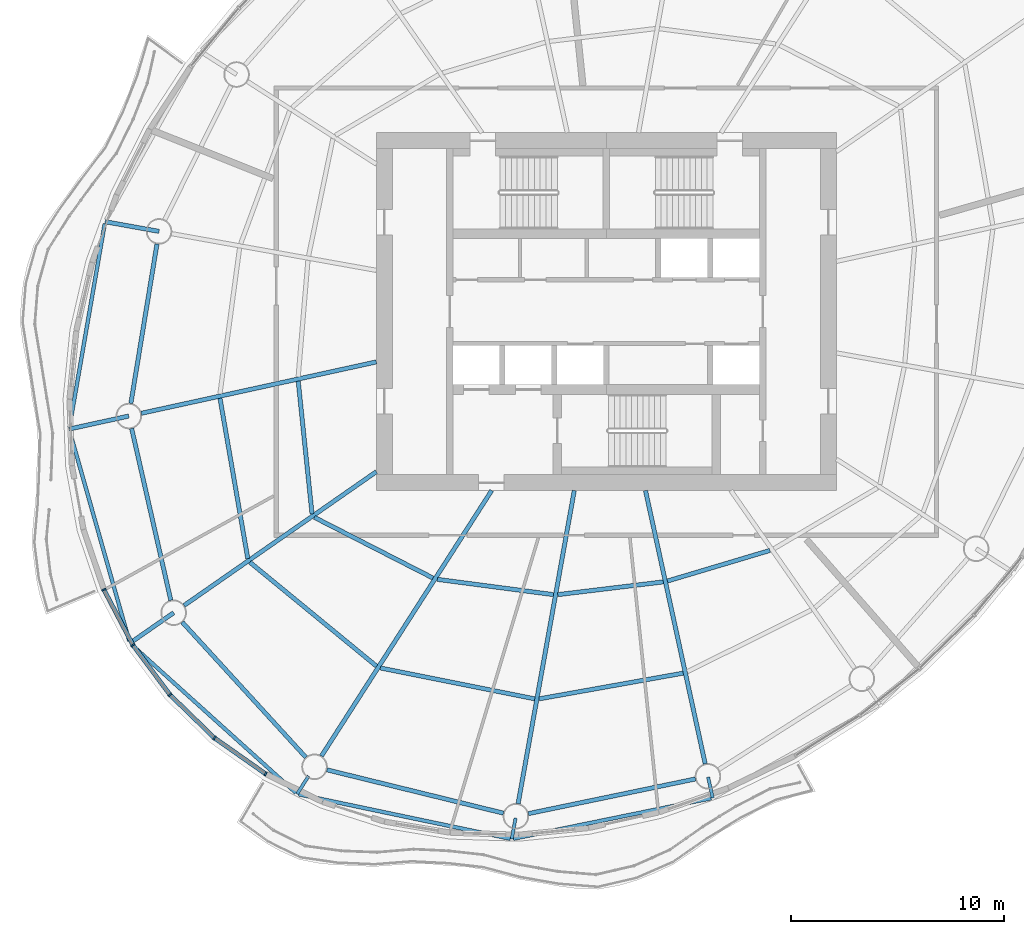
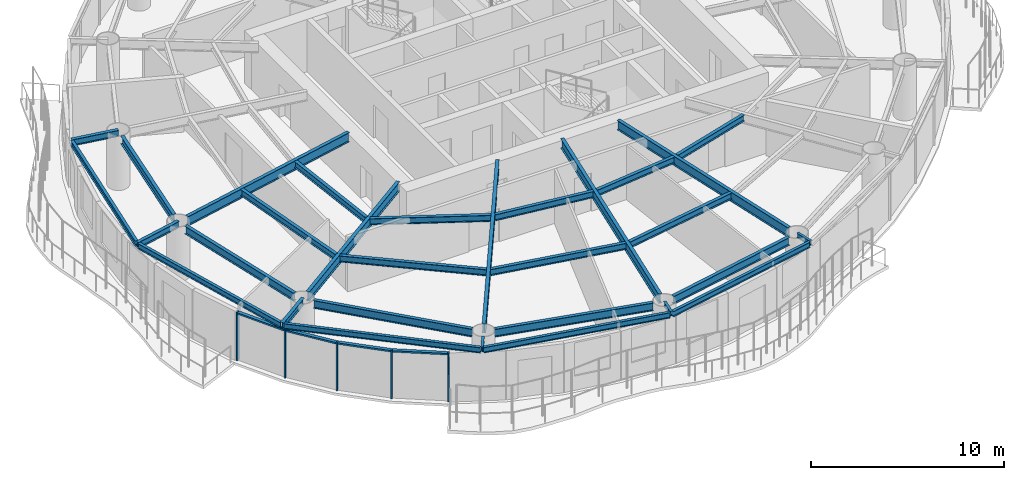
# One storey, part 2 of 14: 30 beams, 9 members, 4 elements without a shape of their own.
"""IFC4 building model written with IfcOpenShell, lengths in metres."""

from ifc_helpers import new_model, si_unit, direction, frame, origin, origin_2d, place, context, subcontext, project, spatial, rectangle, i_section, extrude, material, material_profile, profile_set, type_object, element, aggregate, save


model = new_model("IFC4")

# Units and contexts
model_context = context("Model", 3, precision=1e-05, world=origin(), true_north=direction((0.0, 1.0)))
body_context = subcontext(model_context, "Body", "Model", "MODEL_VIEW")
ifc_project = project(units=[si_unit("LENGTHUNIT", "METRE"), si_unit("AREAUNIT", "SQUARE_METRE"), si_unit("VOLUMEUNIT", "CUBIC_METRE"), si_unit("PLANEANGLEUNIT", "RADIAN"), si_unit("MASSUNIT", "GRAM", prefix="KILO")], contexts=[model_context])

# Site, building, storey
site_placement = place(None, origin())
site = spatial("IfcSite", under=ifc_project, at=site_placement, CompositionType="ELEMENT")
building_placement = place(site_placement, origin())
building = spatial("IfcBuilding", under=site, at=building_placement, Name="Vermilion Reach Broadcast Tower", CompositionType="ELEMENT")
storey_placement = place(building_placement, frame((0.0, 0.0, 199.300048828125)))
storey = spatial("IfcBuildingStorey", under=building, at=storey_placement, Name="L48", CompositionType="ELEMENT", Elevation=199.300048828125)

# Beams
ifc_material_1 = material(Name="Steel S355J2", Category="steel")
ifc_material_profile_1 = material_profile(ifc_material_1, i_section(OverallWidth=0.175048828125, OverallDepth=0.35009765625, WebThickness=0.007080078125, FlangeThickness=0.010986328125, at=origin_2d()), Name="S355J2 HN 350x175x7x11")
ifc_profile_set_1 = profile_set([ifc_material_profile_1], Name="Steel S355J2")
beam_type_1 = type_object("IfcBeamType", Name="EB4 HN 350x175x7x11", PredefinedType="BEAM", material=ifc_profile_set_1)
beam_1_placement = place(storey_placement, frame((-29.553955078125, 4.123779296875, 3.27490234375), z_axis=(-0.170837360875, -0.985299241921, 0.0), x_axis=(0.985299241921, -0.170837360875, 0.0)))
element("IfcBeam", 1, at=beam_1_placement, inside=storey, type_object=beam_type_1, Name="Edge beam EB4-06", PredefinedType="BEAM", context=body_context, shape_type="SweptSolid", body=[
    extrude(i_section(OverallWidth=0.175048828125, OverallDepth=0.35009765625, WebThickness=0.007080078125, FlangeThickness=0.010986328125, at=origin_2d()), origin(), (0.0, 0.0, 1.0), 9.67333984375),
])
beam_2_placement = place(storey_placement, frame((-31.197509765625, -5.610107421875, 3.27490234375), z_axis=(0.272961061952, -0.962025082136, 0.0), x_axis=(0.962025082136, 0.272961061952, 0.0)))
element("IfcBeam", 2, at=beam_2_placement, inside=storey, type_object=beam_type_1, Name="Edge beam EB4-07", PredefinedType="BEAM", context=body_context, shape_type="SweptSolid", body=[
    extrude(i_section(OverallWidth=0.175048828125, OverallDepth=0.35009765625, WebThickness=0.007080078125, FlangeThickness=0.010986328125, at=origin_2d()), origin(), (0.0, 0.0, 1.0), 10.24365234375),
])
beam_3_placement = place(storey_placement, frame((-28.296142578125, -15.63525390625, 3.27490234375), z_axis=(0.742625619429, -0.669706793581, 0.0), x_axis=(0.669706793581, 0.742625619429, 0.0)))
element("IfcBeam", 3, at=beam_3_placement, inside=storey, type_object=beam_type_1, Name="Edge beam EB4-08", PredefinedType="BEAM", context=body_context, shape_type="SweptSolid", body=[
    extrude(i_section(OverallWidth=0.175048828125, OverallDepth=0.35009765625, WebThickness=0.007080078125, FlangeThickness=0.010986328125, at=origin_2d()), origin(), (0.0, 0.0, 1.0), 10.392578125),
])
beam_4_placement = place(storey_placement, frame((-20.443359375, -22.66259765625, 3.27490234375), z_axis=(0.978666322046, -0.205456151268, 0.0), x_axis=(0.205456151268, 0.978666322046, 0.0)))
element("IfcBeam", 4, at=beam_4_placement, inside=storey, type_object=beam_type_1, Name="Edge beam EB4-09", PredefinedType="BEAM", context=body_context, shape_type="SweptSolid", body=[
    extrude(i_section(OverallWidth=0.175048828125, OverallDepth=0.35009765625, WebThickness=0.007080078125, FlangeThickness=0.010986328125, at=origin_2d()), origin(), (0.0, 0.0, 1.0), 10.144287109375),
])
beam_5_placement = place(storey_placement, frame((-10.363037109375, -24.74609375, 3.27490234375), z_axis=(0.979716887268, 0.200386678203, 0.0), x_axis=(-0.200386678203, 0.979716887268, 0.0)))
element("IfcBeam", 5, at=beam_5_placement, inside=storey, type_object=beam_type_1, Name="Edge beam EB4-10", PredefinedType="BEAM", context=body_context, shape_type="SweptSolid", body=[
    extrude(i_section(OverallWidth=0.175048828125, OverallDepth=0.35009765625, WebThickness=0.007080078125, FlangeThickness=0.010986328125, at=origin_2d()), origin(), (0.0, 0.0, 1.0), 9.47265625),
])
ifc_material_2 = material(Name="Steel S355J2", Category="steel")
ifc_material_profile_2 = material_profile(ifc_material_2, i_section(OverallWidth=0.199951171875, OverallDepth=0.60009765625, WebThickness=0.010986328125, FlangeThickness=0.01708984375, at=origin_2d()), Name="S355J2 HN 600x200x11x17")
ifc_profile_set_2 = profile_set([ifc_material_profile_2], Name="Steel S355J2")
beam_type_2 = type_object("IfcBeamType", Name="G4 HN 600x200x11x17", PredefinedType="BEAM", material=ifc_profile_set_2)
beam_6_placement = place(storey_placement, frame((-16.800048828125, -2.360595703125, 3.14990234375), z_axis=(-0.976930175286, -0.213558967537, 0.0), x_axis=(0.213558967537, -0.976930175286, 0.0)))
element("IfcBeam", 6, at=beam_6_placement, inside=storey, type_object=beam_type_2, Name="Girder G4-07", PredefinedType="BEAM", context=body_context, shape_type="SweptSolid", body=[
    extrude(i_section(OverallWidth=0.199951171875, OverallDepth=0.60009765625, WebThickness=0.010986328125, FlangeThickness=0.01708984375, at=origin_2d()), origin(), (0.0, 0.0, 1.0), 11.29833984375),
])
beam_7_placement = place(storey_placement, frame((-16.800048828125, -7.5146484375, 3.14990234375), z_axis=(-0.820848627818, -0.571145804684, 0.0), x_axis=(0.571145804684, -0.820848627818, 0.0)))
element("IfcBeam", 7, at=beam_7_placement, inside=storey, type_object=beam_type_2, Name="Girder G4-08", PredefinedType="BEAM", context=body_context, shape_type="SweptSolid", body=[
    extrude(i_section(OverallWidth=0.199951171875, OverallDepth=0.60009765625, WebThickness=0.010986328125, FlangeThickness=0.01708984375, at=origin_2d()), origin(), (0.0, 0.0, 1.0), 10.99560546875),
])
beam_8_placement = place(storey_placement, frame((-11.386474609375, -8.39990234375, 3.14990234375), z_axis=(-0.539796447586, -0.84179557802, 0.0), x_axis=(0.84179557802, -0.539796447586, 0.0)))
element("IfcBeam", 8, at=beam_8_placement, inside=storey, type_object=beam_type_2, Name="Girder G4-09", PredefinedType="BEAM", context=body_context, shape_type="SweptSolid", body=[
    extrude(i_section(OverallWidth=0.199951171875, OverallDepth=0.60009765625, WebThickness=0.010986328125, FlangeThickness=0.01708984375, at=origin_2d()), origin(), (0.0, 0.0, 1.0), 14.8076171875),
])
beam_9_placement = place(storey_placement, frame((-7.5068359375, -8.39990234375, 3.14990234375), z_axis=(-0.176574729047, -0.984287237072, 0.0), x_axis=(0.984287237072, -0.176574729047, 0.0)))
element("IfcBeam", 9, at=beam_9_placement, inside=storey, type_object=beam_type_2, Name="Girder G4-10", PredefinedType="BEAM", context=body_context, shape_type="SweptSolid", body=[
    extrude(i_section(OverallWidth=0.199951171875, OverallDepth=0.60009765625, WebThickness=0.010986328125, FlangeThickness=0.01708984375, at=origin_2d()), origin(), (0.0, 0.0, 1.0), 14.935302734375),
])
beam_10_placement = place(storey_placement, frame((-4.163818359375, -8.39990234375, 3.14990234375), z_axis=(0.213538346548, -0.976934682849, 0.0), x_axis=(0.976934682849, 0.213538346548, 0.0)))
element("IfcBeam", 10, at=beam_10_placement, inside=storey, type_object=beam_type_2, Name="Girder G4-11", PredefinedType="BEAM", context=body_context, shape_type="SweptSolid", body=[
    extrude(i_section(OverallWidth=0.199951171875, OverallDepth=0.60009765625, WebThickness=0.010986328125, FlangeThickness=0.01708984375, at=origin_2d()), origin(), (0.0, 0.0, 1.0), 13.135498046875),
])
ifc_material_3 = material(Name="Steel S355J2", Category="steel")
ifc_material_profile_3 = material_profile(ifc_material_3, i_section(OverallWidth=0.199951171875, OverallDepth=0.39990234375, WebThickness=0.008056640625, FlangeThickness=0.012939453125, at=origin_2d()), Name="S355J2 HN 400x200x8x13")
ifc_profile_set_3 = profile_set([ifc_material_profile_3], Name="Steel S355J2")
beam_type_3 = type_object("IfcBeamType", Name="GC4 HN 400x200x8x13", PredefinedType="BEAM", material=ifc_profile_set_3)
beam_11_placement = place(storey_placement, frame((-27.002685546875, 3.767578125, 3.25), z_axis=(-0.984288959159, 0.176565129283, 0.0), x_axis=(-0.176565129283, -0.984288959159, 0.0)))
element("IfcBeam", 11, at=beam_11_placement, inside=storey, type_object=beam_type_3, Name="Cantilever girder GC4-06", PredefinedType="BEAM", context=body_context, shape_type="SweptSolid", body=[
    extrude(i_section(OverallWidth=0.199951171875, OverallDepth=0.39990234375, WebThickness=0.008056640625, FlangeThickness=0.012939453125, at=origin_2d()), origin(), (0.0, 0.0, 1.0), 2.57470703125),
])
beam_12_placement = place(storey_placement, frame((-28.423828125, -4.9013671875, 3.25), z_axis=(-0.976930559979, -0.213557207742, 0.0), x_axis=(0.213557207742, -0.976930559979, 0.0)))
element("IfcBeam", 12, at=beam_12_placement, inside=storey, type_object=beam_type_3, Name="Cantilever girder GC4-07", PredefinedType="BEAM", context=body_context, shape_type="SweptSolid", body=[
    extrude(i_section(OverallWidth=0.199951171875, OverallDepth=0.39990234375, WebThickness=0.008056640625, FlangeThickness=0.012939453125, at=origin_2d()), origin(), (0.0, 0.0, 1.0), 2.8671875),
])
beam_13_placement = place(storey_placement, frame((-26.318115234375, -14.13720703125, 3.25), z_axis=(-0.820823670159, -0.571181672068, 0.0), x_axis=(0.571181672068, -0.820823670159, 0.0)))
element("IfcBeam", 13, at=beam_13_placement, inside=storey, type_object=beam_type_3, Name="Cantilever girder GC4-08", PredefinedType="BEAM", context=body_context, shape_type="SweptSolid", body=[
    extrude(i_section(OverallWidth=0.199951171875, OverallDepth=0.39990234375, WebThickness=0.008056640625, FlangeThickness=0.012939453125, at=origin_2d()), origin(), (0.0, 0.0, 1.0), 2.502685546875),
])
ifc_material_4 = material(Name="Steel S355J2", Category="steel")
ifc_material_profile_4 = material_profile(ifc_material_4, i_section(OverallWidth=0.14990234375, OverallDepth=0.300048828125, WebThickness=0.006591796875, FlangeThickness=0.009033203125, at=origin_2d()), Name="S355J2 HN 300x150x6.5x9")
ifc_profile_set_4 = profile_set([ifc_material_profile_4], Name="Steel S355J2")
beam_type_4 = type_object("IfcBeamType", Name="GS4 HN 300x150x6.5x9", PredefinedType="BEAM", material=ifc_profile_set_4)
for number, where, z_axis, x_axis, name in (
    (14, (-19.982177734375, -21.804443359375, 3.300048828125), (-0.539794777091, -0.841796649213, 0.0), (0.841796649213, -0.539794777091, 0.0), "Cantilever stub GS4-09"),
    (15, (-10.265380859375, -23.778076171875, 3.300048828125), (-0.176779303748, -0.984250515756, 0.0), (0.984250515756, -0.176779303748, 0.0), "Cantilever stub GS4-10"),
    (16, (-1.22265625, -21.85595703125, 3.300048828125), (0.213645906146, -0.976911166272, 0.0), (0.976911166272, 0.213645906146, 0.0), "Cantilever stub GS4-11"),
):
    element("IfcBeam", number, at=place(storey_placement, frame(where, z_axis=z_axis, x_axis=x_axis)), inside=storey, type_object=beam_type_4, Name=name, PredefinedType="BEAM", context=body_context, shape_type="SweptSolid", body=[
        extrude(i_section(OverallWidth=0.14990234375, OverallDepth=0.300048828125, WebThickness=0.006591796875, FlangeThickness=0.009033203125, at=origin_2d()), origin(), (0.0, 0.0, 1.0), 1.0),
    ])
ifc_material_5 = material(Name="Steel S355J2", Category="steel")
ifc_material_profile_5 = material_profile(ifc_material_5, i_section(OverallWidth=0.199951171875, OverallDepth=0.5, WebThickness=0.010009765625, FlangeThickness=0.01611328125, at=origin_2d()), Name="S355J2 HN 500x200x10x16")
ifc_profile_set_5 = profile_set([ifc_material_profile_5], Name="Steel S355J2")
beam_type_5 = type_object("IfcBeamType", Name="RB4 HN 500x200x10x16", PredefinedType="BEAM", material=ifc_profile_set_5)
beam_14_placement = place(storey_placement, frame((-27.099609375, 3.175537109375, 3.199951171875), z_axis=(-0.161778110263, -0.986827159659, 0.0), x_axis=(0.986827159659, -0.161778110263, 0.0)))
element("IfcBeam", 17, at=beam_14_placement, inside=storey, type_object=beam_type_5, Name="Ring beam RB4-06", PredefinedType="BEAM", context=body_context, shape_type="SweptSolid", body=[
    extrude(i_section(OverallWidth=0.199951171875, OverallDepth=0.5, WebThickness=0.010009765625, FlangeThickness=0.01611328125, at=origin_2d()), origin(), (0.0, 0.0, 1.0), 7.584716796875),
])
beam_15_placement = place(storey_placement, frame((-28.290283203125, -5.486572265625, 3.199951171875), z_axis=(0.222283068275, -0.974982172944, 0.0), x_axis=(0.974982172944, 0.222283068275, 0.0)))
element("IfcBeam", 18, at=beam_15_placement, inside=storey, type_object=beam_type_5, Name="Ring beam RB4-07", PredefinedType="BEAM", context=body_context, shape_type="SweptSolid", body=[
    extrude(i_section(OverallWidth=0.199951171875, OverallDepth=0.5, WebThickness=0.010009765625, FlangeThickness=0.01611328125, at=origin_2d()), origin(), (0.0, 0.0, 1.0), 8.272705078125),
])
beam_16_placement = place(storey_placement, frame((-25.9130859375, -14.580078125, 3.199951171875), z_axis=(0.674868141417, -0.737938338684, 0.0), x_axis=(0.737938338684, 0.674868141417, 0.0)))
element("IfcBeam", 19, at=beam_16_placement, inside=storey, type_object=beam_type_5, Name="Ring beam RB4-08", PredefinedType="BEAM", context=body_context, shape_type="SweptSolid", body=[
    extrude(i_section(OverallWidth=0.199951171875, OverallDepth=0.5, WebThickness=0.010009765625, FlangeThickness=0.01611328125, at=origin_2d()), origin(), (0.0, 0.0, 1.0), 8.601318359375),
])
beam_17_placement = place(storey_placement, frame((-19.120849609375, -21.51318359375, 3.199951171875), z_axis=(0.971158622271, -0.238434331398, 0.0), x_axis=(0.238434331398, 0.971158622271, 0.0)))
element("IfcBeam", 20, at=beam_17_placement, inside=storey, type_object=beam_type_5, Name="Ring beam RB4-09", PredefinedType="BEAM", context=body_context, shape_type="SweptSolid", body=[
    extrude(i_section(OverallWidth=0.199951171875, OverallDepth=0.5, WebThickness=0.010009765625, FlangeThickness=0.01611328125, at=origin_2d()), origin(), (0.0, 0.0, 1.0), 8.534423828125),
])
beam_18_placement = place(storey_placement, frame((-9.662353515625, -23.569091796875, 3.199951171875), z_axis=(0.97912342484, 0.203266620302, 0.0), x_axis=(-0.203266620302, 0.97912342484, 0.0)))
element("IfcBeam", 21, at=beam_18_placement, inside=storey, type_object=beam_type_5, Name="Ring beam RB4-10", PredefinedType="BEAM", context=body_context, shape_type="SweptSolid", body=[
    extrude(i_section(OverallWidth=0.199951171875, OverallDepth=0.5, WebThickness=0.010009765625, FlangeThickness=0.01611328125, at=origin_2d()), origin(), (0.0, 0.0, 1.0), 8.01123046875),
])
ifc_material_6 = material(Name="Steel S355J2", Category="steel")
ifc_material_profile_6 = material_profile(ifc_material_6, i_section(OverallWidth=0.199951171875, OverallDepth=0.39990234375, WebThickness=0.008056640625, FlangeThickness=0.012939453125, at=origin_2d()), Name="S355J2 HN 400x200x8x13")
ifc_profile_set_6 = profile_set([ifc_material_profile_6], Name="Steel S355J2")
beam_type_6 = type_object("IfcBeamType", Name="SB4 HN 400x200x8x13", PredefinedType="BEAM", material=ifc_profile_set_6)
beam_19_placement = place(storey_placement, frame((-20.46875, -3.264892578125, 3.25), z_axis=(0.103532173355, -0.994626105167, 0.0), x_axis=(0.994626105167, 0.103532173355, 0.0)))
element("IfcBeam", 22, at=beam_19_placement, inside=storey, type_object=beam_type_6, Name="Secondary beam SB4-07-1", PredefinedType="BEAM", context=body_context, shape_type="SweptSolid", body=[
    extrude(i_section(OverallWidth=0.199951171875, OverallDepth=0.39990234375, WebThickness=0.008056640625, FlangeThickness=0.012939453125, at=origin_2d()), origin(), (0.0, 0.0, 1.0), 6.26318359375),
])
beam_20_placement = place(storey_placement, frame((-24.141357421875, -4.067626953125, 3.25), z_axis=(0.170926997669, -0.985283695931, 0.0), x_axis=(0.985283695931, 0.170926997669, 0.0)))
element("IfcBeam", 23, at=beam_20_placement, inside=storey, type_object=beam_type_6, Name="Secondary beam SB4-07-2", PredefinedType="BEAM", context=body_context, shape_type="SweptSolid", body=[
    extrude(i_section(OverallWidth=0.199951171875, OverallDepth=0.39990234375, WebThickness=0.008056640625, FlangeThickness=0.012939453125, at=origin_2d()), origin(), (0.0, 0.0, 1.0), 7.63720703125),
])
beam_21_placement = place(storey_placement, frame((-19.707763671875, -9.659423828125, 3.25), z_axis=(0.89015575218, -0.455656380249, 0.0), x_axis=(0.455656380249, 0.89015575218, 0.0)))
element("IfcBeam", 24, at=beam_21_placement, inside=storey, type_object=beam_type_6, Name="Secondary beam SB4-08-1", PredefinedType="BEAM", context=body_context, shape_type="SweptSolid", body=[
    extrude(i_section(OverallWidth=0.199951171875, OverallDepth=0.39990234375, WebThickness=0.008056640625, FlangeThickness=0.012939453125, at=origin_2d()), origin(), (0.0, 0.0, 1.0), 6.25439453125),
])
beam_22_placement = place(storey_placement, frame((-22.73681640625, -11.76708984375, 3.25), z_axis=(0.772952000494, -0.6344645025, 0.0), x_axis=(0.6344645025, 0.772952000494, 0.0)))
element("IfcBeam", 25, at=beam_22_placement, inside=storey, type_object=beam_type_6, Name="Secondary beam SB4-08-2", PredefinedType="BEAM", context=body_context, shape_type="SweptSolid", body=[
    extrude(i_section(OverallWidth=0.199951171875, OverallDepth=0.39990234375, WebThickness=0.008056640625, FlangeThickness=0.012939453125, at=origin_2d()), origin(), (0.0, 0.0, 1.0), 7.689697265625),
])
beam_23_placement = place(storey_placement, frame((-13.94140625, -12.5693359375, 3.25), z_axis=(0.991458070019, -0.130425823341, 0.0), x_axis=(0.130425823341, 0.991458070019, 0.0)))
element("IfcBeam", 26, at=beam_23_placement, inside=storey, type_object=beam_type_6, Name="Secondary beam SB4-09-1", PredefinedType="BEAM", context=body_context, shape_type="SweptSolid", body=[
    extrude(i_section(OverallWidth=0.199951171875, OverallDepth=0.39990234375, WebThickness=0.008056640625, FlangeThickness=0.012939453125, at=origin_2d()), origin(), (0.0, 0.0, 1.0), 5.50341796875),
])
beam_24_placement = place(storey_placement, frame((-16.60986328125, -16.73095703125, 3.25), z_axis=(0.9805717807, -0.196160604851, 0.0), x_axis=(0.196160604851, 0.9805717807, 0.0)))
element("IfcBeam", 27, at=beam_24_placement, inside=storey, type_object=beam_type_6, Name="Secondary beam SB4-09-2", PredefinedType="BEAM", context=body_context, shape_type="SweptSolid", body=[
    extrude(i_section(OverallWidth=0.199951171875, OverallDepth=0.39990234375, WebThickness=0.008056640625, FlangeThickness=0.012939453125, at=origin_2d()), origin(), (0.0, 0.0, 1.0), 7.390380859375),
])
beam_25_placement = place(storey_placement, frame((-8.281982421875, -13.28759765625, 3.25), z_axis=(0.99278788328, 0.119884189168, 0.0), x_axis=(-0.119884189168, 0.99278788328, 0.0)))
element("IfcBeam", 28, at=beam_25_placement, inside=storey, type_object=beam_type_6, Name="Secondary beam SB4-10-1", PredefinedType="BEAM", context=body_context, shape_type="SweptSolid", body=[
    extrude(i_section(OverallWidth=0.199951171875, OverallDepth=0.39990234375, WebThickness=0.008056640625, FlangeThickness=0.012939453125, at=origin_2d()), origin(), (0.0, 0.0, 1.0), 4.9892578125),
])
beam_26_placement = place(storey_placement, frame((-9.159912109375, -18.181640625, 3.25), z_axis=(0.984415281892, 0.175859468829, 0.0), x_axis=(-0.175859468829, 0.984415281892, 0.0)))
element("IfcBeam", 29, at=beam_26_placement, inside=storey, type_object=beam_type_6, Name="Secondary beam SB4-10-2", PredefinedType="BEAM", context=body_context, shape_type="SweptSolid", body=[
    extrude(i_section(OverallWidth=0.199951171875, OverallDepth=0.39990234375, WebThickness=0.008056640625, FlangeThickness=0.012939453125, at=origin_2d()), origin(), (0.0, 0.0, 1.0), 6.874755859375),
])
beam_27_placement = place(storey_placement, frame((-3.1328125, -12.64892578125, 3.25), z_axis=(0.958173460215, 0.28618808525, 0.0), x_axis=(-0.28618808525, 0.958173460215, 0.0)))
element("IfcBeam", 30, at=beam_27_placement, inside=storey, type_object=beam_type_6, Name="Secondary beam SB4-11-1", PredefinedType="BEAM", context=body_context, shape_type="SweptSolid", body=[
    extrude(i_section(OverallWidth=0.199951171875, OverallDepth=0.39990234375, WebThickness=0.008056640625, FlangeThickness=0.012939453125, at=origin_2d()), origin(), (0.0, 0.0, 1.0), 5.02197265625),
])

# Curtain wall, member
ifc_material_7 = material(Name="Low-e laminated clear glass in aluminium frame", Category="aluminium")
curtain_wall_type = type_object("IfcCurtainWallType", Name="Slot curtain wall", PredefinedType="NOTDEFINED", material=ifc_material_7)
placement = place(storey_placement, origin())
curtain_wall_1 = element("IfcCurtainWall", 31, at=placement, inside=storey, type_object=curtain_wall_type, Name="Slot curtain wall L48 22", PredefinedType="NOTDEFINED")
ifc_material_8 = material(Name="Anodised aluminium", Category="aluminium")
ifc_material_profile_7 = material_profile(ifc_material_8, rectangle(XDim=0.199951171875, YDim=0.080078125, at=origin_2d()), Name="Slot mullion 80 x 200")
ifc_profile_set_7 = profile_set([ifc_material_profile_7], Name="Anodised aluminium")
member_type_1 = type_object("IfcMemberType", Name="Slot mullion 80 x 200", PredefinedType="MULLION", material=ifc_profile_set_7)
member_1_placement = place(storey_placement, frame((-29.591064453125, -13.05517578125, 0.0), z_axis=(0.0, 0.0, 1.0), x_axis=(0.919090322703, 0.394046924507, 0.0)))
member_1 = element("IfcMember", 32, at=member_1_placement, type_object=member_type_1, Name="Slot mullion L48 22", PredefinedType="MULLION", context=body_context, shape_type="SweptSolid", body=[
    extrude(rectangle(XDim=0.199951171875, YDim=0.080078125, at=origin_2d()), origin(), (0.0, 0.0, 1.0), 3.050048828125),
])

curtain_wall_2 = element("IfcCurtainWall", 33, at=placement, inside=storey, type_object=curtain_wall_type, Name="Slot curtain wall L48 23", PredefinedType="NOTDEFINED")
member_2_placement = place(storey_placement, frame((-28.229736328125, -15.6552734375, 0.0), z_axis=(0.0, 0.0, 1.0), x_axis=(0.846461764077, 0.532449511181, 0.0)))
member_2 = element("IfcMember", 34, at=member_2_placement, type_object=member_type_1, Name="Slot mullion L48 23", PredefinedType="MULLION", context=body_context, shape_type="SweptSolid", body=[
    extrude(rectangle(XDim=0.199951171875, YDim=0.080078125, at=origin_2d()), origin(), (0.0, 0.0, 1.0), 3.050048828125),
])

curtain_wall_3 = element("IfcCurtainWall", 35, at=placement, inside=storey, type_object=curtain_wall_type, Name="Slot curtain wall L48 24", PredefinedType="NOTDEFINED")
member_3_placement = place(storey_placement, frame((-26.490234375, -17.988525390625, 0.0), z_axis=(0.0, 0.0, 1.0), x_axis=(0.751494426094, 0.659739439134, 0.0)))
member_3 = element("IfcMember", 36, at=member_3_placement, type_object=member_type_1, Name="Slot mullion L48 24", PredefinedType="MULLION", context=body_context, shape_type="SweptSolid", body=[
    extrude(rectangle(XDim=0.199951171875, YDim=0.080078125, at=origin_2d()), origin(), (0.0, 0.0, 1.0), 3.050048828125),
])

# Curtain wall, members
curtain_wall_4 = element("IfcCurtainWall", 37, at=placement, inside=storey, type_object=curtain_wall_type, Name="Slot curtain wall L48 25", PredefinedType="NOTDEFINED")
member_4_placement = place(storey_placement, frame((-24.402099609375, -20.015380859375, 0.0), z_axis=(0.0, 0.0, 1.0), x_axis=(0.637573364986, 0.77038964444, 0.0)))
member_4 = element("IfcMember", 38, at=member_4_placement, type_object=member_type_1, Name="Slot mullion L48 25", PredefinedType="MULLION", context=body_context, shape_type="SweptSolid", body=[
    extrude(rectangle(XDim=0.199951171875, YDim=0.080078125, at=origin_2d()), origin(), (0.0, 0.0, 1.0), 3.050048828125),
])
member_5_placement = place(storey_placement, frame((-22.0, -21.7021484375, 0.0), z_axis=(0.0, 0.0, 1.0), x_axis=(0.509740591104, 0.860328152382, 0.0)))
member_5 = element("IfcMember", 39, at=member_5_placement, type_object=member_type_1, Name="Slot mullion L48 26", PredefinedType="MULLION", context=body_context, shape_type="SweptSolid", body=[
    extrude(rectangle(XDim=0.199951171875, YDim=0.080078125, at=origin_2d()), origin(), (0.0, 0.0, 1.0), 3.050048828125),
])

# Member
ifc_material_9 = material(Name="Anodised aluminium", Category="aluminium")
ifc_material_profile_8 = material_profile(ifc_material_9, rectangle(XDim=0.199951171875, YDim=0.10009765625, at=origin_2d()), Name="Slot transom 200 x 100")
ifc_profile_set_8 = profile_set([ifc_material_profile_8], Name="Anodised aluminium")
member_type_2 = type_object("IfcMemberType", Name="Slot transom 200 x 100", PredefinedType="USERDEFINED", material=ifc_profile_set_8)
member_6_placement = place(storey_placement, frame((-29.572509765625, -13.090576171875, 3.0), z_axis=(0.463828044834, -0.885925247877, 0.0), x_axis=(0.885925247877, 0.463828044834, 0.0)))
member_6 = element("IfcMember", 40, at=member_6_placement, type_object=member_type_2, Name="Slot transom L48 22.1", ObjectType="TRANSOM", PredefinedType="USERDEFINED", context=body_context, shape_type="SweptSolid", body=[
    extrude(rectangle(XDim=0.199951171875, YDim=0.10009765625, at=origin_2d()), origin(), (0.0, 0.0, 1.0), 2.85498046875),
])

aggregate(curtain_wall_1, [member_1, member_6])

member_7_placement = place(storey_placement, frame((-28.205810546875, -15.6875, 3.0), z_axis=(0.597747769862, -0.801684229373, 0.0), x_axis=(0.801684229373, 0.597747769862, 0.0)))
member_7 = element("IfcMember", 41, at=member_7_placement, type_object=member_type_2, Name="Slot transom L48 23.1", ObjectType="TRANSOM", PredefinedType="USERDEFINED", context=body_context, shape_type="SweptSolid", body=[
    extrude(rectangle(XDim=0.199951171875, YDim=0.10009765625, at=origin_2d()), origin(), (0.0, 0.0, 1.0), 2.830078125),
])

aggregate(curtain_wall_2, [member_2, member_7])

member_8_placement = place(storey_placement, frame((-26.46142578125, -18.016357421875, 3.0), z_axis=(0.717552794199, -0.696504118822, 0.0), x_axis=(0.696504118822, 0.717552794199, 0.0)))
member_8 = element("IfcMember", 42, at=member_8_placement, type_object=member_type_2, Name="Slot transom L48 24.1", ObjectType="TRANSOM", PredefinedType="USERDEFINED", context=body_context, shape_type="SweptSolid", body=[
    extrude(rectangle(XDim=0.199951171875, YDim=0.10009765625, at=origin_2d()), origin(), (0.0, 0.0, 1.0), 2.830078125),
])

aggregate(curtain_wall_3, [member_3, member_8])

member_9_placement = place(storey_placement, frame((-24.369384765625, -20.038330078125, 3.0), z_axis=(0.818415591372, -0.574626765648, 0.0), x_axis=(0.574626765648, 0.818415591372, 0.0)))
member_9 = element("IfcMember", 43, at=member_9_placement, type_object=member_type_2, Name="Slot transom L48 25.1", ObjectType="TRANSOM", PredefinedType="USERDEFINED", context=body_context, shape_type="SweptSolid", body=[
    extrude(rectangle(XDim=0.199951171875, YDim=0.10009765625, at=origin_2d()), origin(), (0.0, 0.0, 1.0), 2.855224609375),
])

aggregate(curtain_wall_4, [member_4, member_5, member_9])

save(model, "model.ifc")
